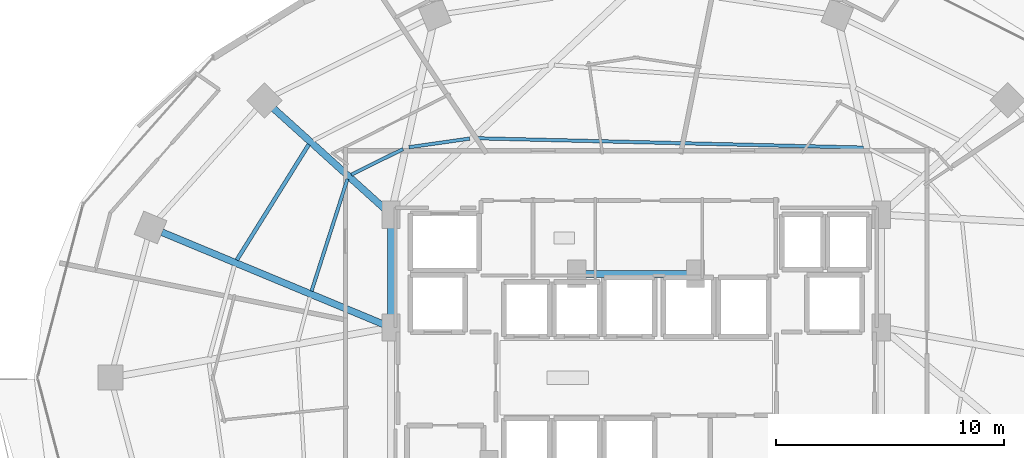
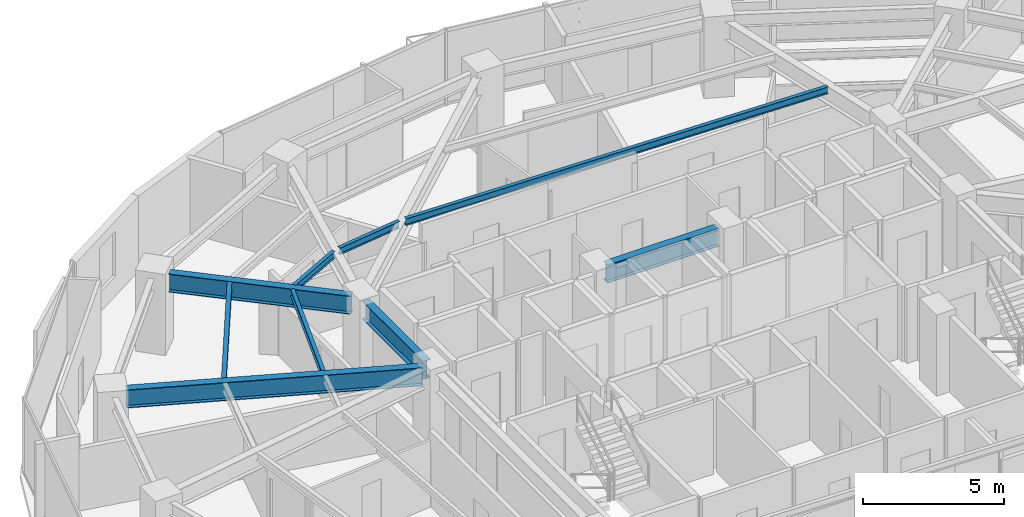
# One storey, part 10 of 29: 9 beams.
"""IFC4 building model written with IfcOpenShell, lengths in metres."""

from ifc_helpers import new_model, si_unit, direction, frame, origin, origin_2d, place, context, subcontext, project, spatial, i_section, extrude, material, material_profile, profile_set, type_object, element, save


model = new_model("IFC4")

# Units and contexts
model_context = context("Model", 3, precision=1e-05, world=origin(), true_north=direction((0.0, 1.0)))
body_context = subcontext(model_context, "Body", "Model", "MODEL_VIEW")
ifc_project = project(units=[si_unit("LENGTHUNIT", "METRE"), si_unit("AREAUNIT", "SQUARE_METRE"), si_unit("VOLUMEUNIT", "CUBIC_METRE"), si_unit("PLANEANGLEUNIT", "RADIAN"), si_unit("MASSUNIT", "GRAM", prefix="KILO")], contexts=[model_context])

# Site, building, storey
site_placement = place(None, origin())
site = spatial("IfcSite", under=ifc_project, at=site_placement, CompositionType="ELEMENT")
building_placement = place(site_placement, origin())
building = spatial("IfcBuilding", under=site, at=building_placement, Name="Vorneva Point Tower", CompositionType="ELEMENT")
storey_placement = place(building_placement, frame((0.0, 0.0, 85.800048828125)))
storey = spatial("IfcBuildingStorey", under=building, at=storey_placement, Name="L22", CompositionType="ELEMENT", Elevation=85.800048828125)

# Beams
ifc_material = material(Name="Steel S355", Category="steel")
ifc_material_profile_1 = material_profile(ifc_material, i_section(OverallWidth=0.300048828125, OverallDepth=0.7880859375, WebThickness=0.014404296875, FlangeThickness=0.02197265625, at=origin_2d()), Name="80Sh1")
ifc_profile_set_1 = profile_set([ifc_material_profile_1], Name="Steel S355")
beam_type_1 = type_object("IfcBeamType", Name="BM-GRD-80Sh1", PredefinedType="USERDEFINED", material=ifc_profile_set_1)
beam_1_placement = place(storey_placement, frame((22.100341796875, 37.801513671875, 2.845947265625), z_axis=(0.742097300344, -0.670292172729, 0.0), x_axis=(0.670292172729, 0.742097300344, 0.0)))
element("IfcBeam", 1, at=beam_1_placement, inside=storey, type_object=beam_type_1, Name="L22 Radial Primary Girder 07", ObjectType="GIRDER", PredefinedType="USERDEFINED", context=body_context, shape_type="SweptSolid", body=[
    extrude(i_section(OverallWidth=0.300048828125, OverallDepth=0.7880859375, WebThickness=0.014404296875, FlangeThickness=0.02197265625, at=origin_2d()), origin(), (0.0, 0.0, 1.0), 6.599365234375),
])
beam_2_placement = place(storey_placement, frame((17.201416015625, 32.375732421875, 2.845947265625), z_axis=(0.923444451211, -0.383732127307, 0.0), x_axis=(0.383732127307, 0.923444451211, 0.0)))
element("IfcBeam", 2, at=beam_2_placement, inside=storey, type_object=beam_type_1, Name="L22 Radial Primary Girder 08", ObjectType="GIRDER", PredefinedType="USERDEFINED", context=body_context, shape_type="SweptSolid", body=[
    extrude(i_section(OverallWidth=0.300048828125, OverallDepth=0.7880859375, WebThickness=0.014404296875, FlangeThickness=0.02197265625, at=origin_2d()), origin(), (0.0, 0.0, 1.0), 10.541748046875),
])
beam_3_placement = place(storey_placement, frame((27.25, 28.52001953125, 2.845947265625), z_axis=(0.0, 1.0, 0.0), x_axis=(-1.0, 0.0, 0.0)))
element("IfcBeam", 3, at=beam_3_placement, inside=storey, type_object=beam_type_1, Name="L22 Core Tie Girder CT2", ObjectType="GIRDER", PredefinedType="USERDEFINED", context=body_context, shape_type="SweptSolid", body=[
    extrude(i_section(OverallWidth=0.300048828125, OverallDepth=0.7880859375, WebThickness=0.014404296875, FlangeThickness=0.02197265625, at=origin_2d()), origin(), (0.0, 0.0, 1.0), 4.31005859375),
])
beam_4_placement = place(storey_placement, frame((35.719970703125, 30.550048828125, 2.845947265625), z_axis=(1.0, 0.0, 0.0), x_axis=(0.0, 1.0, 0.0)))
element("IfcBeam", 4, at=beam_4_placement, inside=storey, type_object=beam_type_1, Name="L22 Core Tie Girder CT8", ObjectType="GIRDER", PredefinedType="USERDEFINED", context=body_context, shape_type="SweptSolid", body=[
    extrude(i_section(OverallWidth=0.300048828125, OverallDepth=0.7880859375, WebThickness=0.014404296875, FlangeThickness=0.02197265625, at=origin_2d()), origin(), (0.0, 0.0, 1.0), 4.56005859375),
])
ifc_material_profile_2 = material_profile(ifc_material, i_section(OverallWidth=0.14892578125, OverallDepth=0.298095703125, WebThickness=0.005615234375, FlangeThickness=0.008056640625, at=origin_2d()), Name="30B1")
ifc_profile_set_2 = profile_set([ifc_material_profile_2], Name="Steel S355")
beam_type_2 = type_object("IfcBeamType", Name="BM-JST-30B1", PredefinedType="JOIST", material=ifc_profile_set_2)
beam_5_placement = place(storey_placement, frame((47.964599609375, 36.0869140625, 3.091064453125), z_axis=(-0.999708122341, 0.024159265841, 0.0), x_axis=(-0.024159265841, -0.999708122341, 0.0)))
element("IfcBeam", 5, at=beam_5_placement, inside=storey, type_object=beam_type_2, Name="L22 Secondary Floor Beam 2.04", PredefinedType="JOIST", context=body_context, shape_type="SweptSolid", body=[
    extrude(i_section(OverallWidth=0.14892578125, OverallDepth=0.298095703125, WebThickness=0.005615234375, FlangeThickness=0.008056640625, at=origin_2d()), origin(), (0.0, 0.0, 1.0), 16.997314453125),
])
beam_6_placement = place(storey_placement, frame((30.697509765625, 36.4814453125, 3.091064453125), z_axis=(-0.990043658135, -0.140760630101, 0.0), x_axis=(0.140760630101, -0.990043658135, 0.0)))
element("IfcBeam", 6, at=beam_6_placement, inside=storey, type_object=beam_type_2, Name="L22 Secondary Floor Beam 2.05", PredefinedType="JOIST", context=body_context, shape_type="SweptSolid", body=[
    extrude(i_section(OverallWidth=0.14892578125, OverallDepth=0.298095703125, WebThickness=0.005615234375, FlangeThickness=0.008056640625, at=origin_2d()), origin(), (0.0, 0.0, 1.0), 2.690185546875),
])
beam_7_placement = place(storey_placement, frame((27.773681640625, 36.022216796875, 3.091064453125), z_axis=(-0.896137449279, -0.443776601456, 0.0), x_axis=(0.443776601456, -0.896137449279, 0.0)))
element("IfcBeam", 7, at=beam_7_placement, inside=storey, type_object=beam_type_2, Name="L22 Secondary Floor Beam 2.06", PredefinedType="JOIST", context=body_context, shape_type="SweptSolid", body=[
    extrude(i_section(OverallWidth=0.14892578125, OverallDepth=0.298095703125, WebThickness=0.005615234375, FlangeThickness=0.008056640625, at=origin_2d()), origin(), (0.0, 0.0, 1.0), 2.53125),
])
beam_8_placement = place(storey_placement, frame((25.339599609375, 34.706298828125, 3.091064453125), z_axis=(-0.305296309303, -0.952257404028, 0.0), x_axis=(0.952257404028, -0.305296309303, 0.0)))
element("IfcBeam", 8, at=beam_8_placement, inside=storey, type_object=beam_type_2, Name="L22 Secondary Floor Beam 2.07", PredefinedType="JOIST", context=body_context, shape_type="SweptSolid", body=[
    extrude(i_section(OverallWidth=0.14892578125, OverallDepth=0.298095703125, WebThickness=0.005615234375, FlangeThickness=0.008056640625, at=origin_2d()), origin(), (0.0, 0.0, 1.0), 5.155517578125),
])
ifc_material_profile_3 = material_profile(ifc_material, i_section(OverallWidth=0.174072265625, OverallDepth=0.345947265625, WebThickness=0.006103515625, FlangeThickness=0.009033203125, at=origin_2d()), Name="35B1")
ifc_profile_set_3 = profile_set([ifc_material_profile_3], Name="Steel S355")
beam_type_3 = type_object("IfcBeamType", Name="BM-SEC-35B1", PredefinedType="BEAM", material=ifc_profile_set_3)
beam_9_placement = place(storey_placement, frame((23.6435546875, 36.224609375, 3.06689453125), z_axis=(-0.52880365784, -0.848744184931, 0.0), x_axis=(0.848744184931, -0.52880365784, 0.0)))
element("IfcBeam", 9, at=beam_9_placement, inside=storey, type_object=beam_type_3, Name="L22 Secondary Floor Beam 1.07", PredefinedType="BEAM", context=body_context, shape_type="SweptSolid", body=[
    extrude(i_section(OverallWidth=0.174072265625, OverallDepth=0.345947265625, WebThickness=0.006103515625, FlangeThickness=0.009033203125, at=origin_2d()), origin(), (0.0, 0.0, 1.0), 5.969482421875),
])

save(model, "model.ifc")
